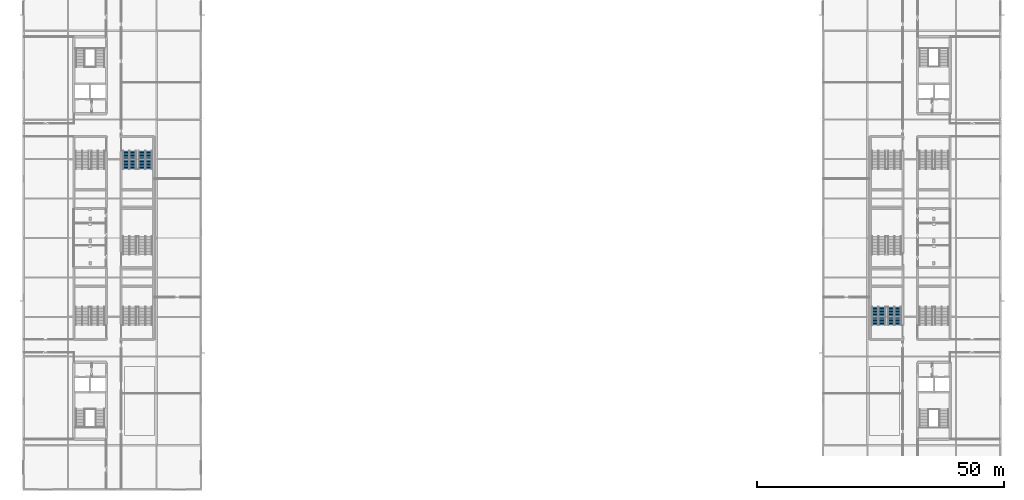
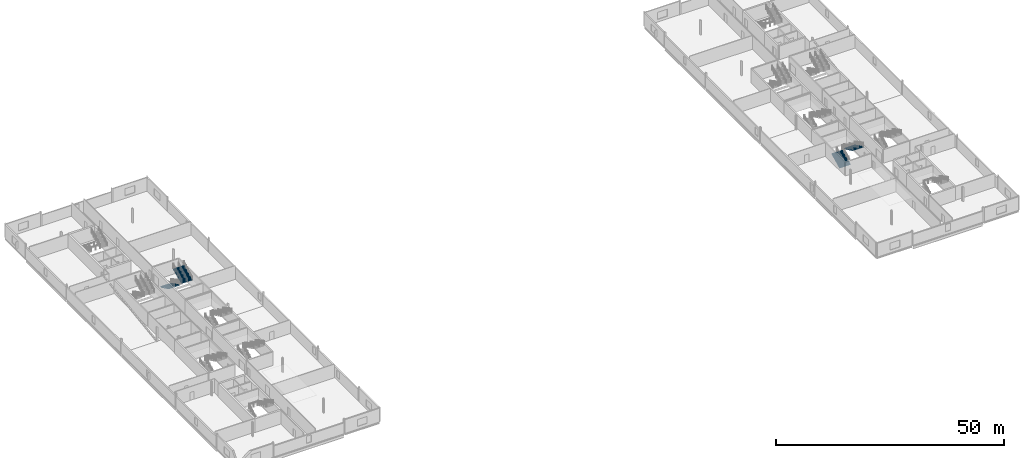
# One storey, part 20 of 27: 4 stair flights, 2 elements without a shape of their own.
"""IFC4 building model written with IfcOpenShell, lengths in metres."""

from ifc_helpers import new_model, si_unit, direction, frame, origin, place, context, subcontext, project, spatial, polygons, material, type_object, element, aggregate, save


model = new_model("IFC4")

# Units and contexts
model_context = context("Model", 3, precision=1e-05, world=origin(), true_north=direction((0.0, 1.0)))
body_context = subcontext(model_context, "Body", "Model", "MODEL_VIEW")
ifc_project = project(units=[si_unit("LENGTHUNIT", "METRE"), si_unit("AREAUNIT", "SQUARE_METRE"), si_unit("VOLUMEUNIT", "CUBIC_METRE"), si_unit("PLANEANGLEUNIT", "RADIAN"), si_unit("MASSUNIT", "GRAM", prefix="KILO")], contexts=[model_context])

# Site, building, storey
site_placement = place(None, origin())
site = spatial("IfcSite", under=ifc_project, at=site_placement, CompositionType="ELEMENT")
building_placement = place(site_placement, origin())
building = spatial("IfcBuilding", under=site, at=building_placement, Name="Kisiwana Market Hall", CompositionType="ELEMENT")
storey_placement = place(building_placement, frame((0.0, 0.0, 41.699951171875)))
storey = spatial("IfcBuildingStorey", under=building, at=storey_placement, Name="L09", CompositionType="ELEMENT", Elevation=41.699951171875)

# Stair, stair flights
ifc_material_1 = material(Name="Concrete C32/40", Category="concrete")
stair_type = type_object("IfcStairType", Name="ST-ESC-3900", PredefinedType="TWO_STRAIGHT_RUN_STAIR", material=ifc_material_1)
stair_1_placement = place(storey_placement, origin())
stair_1 = element("IfcStair", 1, at=stair_1_placement, inside=storey, type_object=stair_type, Name="Escape stair ST-E7-L09", PredefinedType="TWO_STRAIGHT_RUN_STAIR")
ifc_material_2 = material(Name="Concrete C32/40", Category="concrete")
stair_flight_type = type_object("IfcStairFlightType", Name="SF-ESC-3900", PredefinedType="STRAIGHT", material=ifc_material_2)
stair_flight_1_placement = place(storey_placement, frame((173.2900390625, 42.360107421875, 0.0), z_axis=(0.0, 0.0, 1.0), x_axis=(0.0, 1.0, 0.0)))
stair_flight_1 = element("IfcStairFlight", 2, at=stair_flight_1_placement, type_object=stair_flight_type, Name="ST-E7-L09 flight 1", NumberOfRisers=13, NumberOfTreads=12, PredefinedType="STRAIGHT", RiserHeight=0.15, TreadLength=0.305, context=body_context, shape_type="Tessellation", body=[
    polygons([(0.0, -1.380127, 0.0), (0.0, -0.690125, 0.0), (0.0, -0.000122, 0.0), (0.0, 0.68988, 0.0), (0.0, 1.379883, 0.0), (0.0, -1.380127, 0.149902), (0.0, -0.690125, 0.149902), (0.0, -0.000122, 0.149902), (0.0, 0.68988, 0.149902), (0.0, 1.379883, 0.149902), (0.304932, -1.380127, 0.149902), (0.304932, -0.690125, 0.149902), (0.304932, -0.000122, 0.149902), (0.304932, 0.68988, 0.149902), (0.304932, 1.379883, 0.149902), (0.304932, -1.380127, 0.300049), (0.304932, -0.690125, 0.300049), (0.304932, -0.000122, 0.300049), (0.304932, 0.68988, 0.300049), (0.304932, 1.379883, 0.300049), (0.610107, -1.380127, 0.300049), (0.610107, -0.690125, 0.300049), (0.610107, -0.000122, 0.300049), (0.610107, 0.68988, 0.300049), (0.610107, 1.379883, 0.300049), (0.610107, -1.380127, 0.449951), (0.610107, -0.690125, 0.449951), (0.610107, -0.000122, 0.449951), (0.610107, 0.68988, 0.449951), (0.610107, 1.379883, 0.449951), (0.915039, -1.380127, 0.449951), (0.915039, -0.690125, 0.449951), (0.915039, -0.000122, 0.449951), (0.915039, 0.68988, 0.449951), (0.915039, 1.379883, 0.449951), (0.915039, -1.380127, 0.600098), (0.915039, -0.690125, 0.600098), (0.915039, -0.000122, 0.600098), (0.915039, 0.68988, 0.600098), (0.915039, 1.379883, 0.600098), (1.219971, -1.380127, 0.600098), (1.219971, -0.690125, 0.600098), (1.219971, -0.000122, 0.600098), (1.219971, 0.68988, 0.600098), (1.219971, 1.379883, 0.600098), (1.219971, -1.380127, 0.75), (1.219971, -0.690125, 0.75), (1.219971, -0.000122, 0.75), (1.219971, 0.68988, 0.75), (1.219971, 1.379883, 0.75), (1.524902, -1.380127, 0.75), (1.524902, -0.690125, 0.75), (1.524902, -0.000122, 0.75), (1.524902, 0.68988, 0.75), (1.524902, 1.379883, 0.75), (1.524902, -1.380127, 0.899902), (1.524902, -0.690125, 0.899902), (1.524902, -0.000122, 0.899902), (1.524902, 0.68988, 0.899902), (1.524902, 1.379883, 0.899902), (1.830078, -1.380127, 0.899902), (1.830078, -0.690125, 0.899902), (1.830078, -0.000122, 0.899902), (1.830078, 0.68988, 0.899902), (1.830078, 1.379883, 0.899902), (1.830078, -1.380127, 1.050049), (1.830078, -0.690125, 1.050049), (1.830078, -0.000122, 1.050049), (1.830078, 0.68988, 1.050049), (1.830078, 1.379883, 1.050049), (2.13501, -1.380127, 1.050049), (2.13501, -0.690125, 1.050049), (2.13501, -0.000122, 1.050049), (2.13501, 0.68988, 1.050049), (2.13501, 1.379883, 1.050049), (2.13501, -1.380127, 1.199951), (2.13501, -0.690125, 1.199951), (2.13501, -0.000122, 1.199951), (2.13501, 0.68988, 1.199951), (2.13501, 1.379883, 1.199951), (2.439941, -1.380127, 1.199951), (2.439941, -0.690125, 1.199951), (2.439941, -0.000122, 1.199951), (2.439941, 0.68988, 1.199951), (2.439941, 1.379883, 1.199951), (2.439941, -1.380127, 1.350098), (2.439941, -0.690125, 1.350098), (2.439941, -0.000122, 1.350098), (2.439941, 0.68988, 1.350098), (2.439941, 1.379883, 1.350098), (2.745117, -1.380127, 1.350098), (2.745117, -0.690125, 1.350098), (2.745117, -0.000122, 1.350098), (2.745117, 0.68988, 1.350098), (2.745117, 1.379883, 1.350098), (2.745117, -1.380127, 1.5), (2.745117, -0.690125, 1.5), (2.745117, -0.000122, 1.5), (2.745117, 0.68988, 1.5), (2.745117, 1.379883, 1.5), (3.050049, -1.380127, 1.5), (3.050049, -0.690125, 1.5), (3.050049, -0.000122, 1.5), (3.050049, 0.68988, 1.5), (3.050049, 1.379883, 1.5), (3.050049, -1.380127, 1.649902), (3.050049, -0.690125, 1.649902), (3.050049, -0.000122, 1.649902), (3.050049, 0.68988, 1.649902), (3.050049, 1.379883, 1.649902), (3.35498, -1.380127, 1.649902), (3.35498, -0.690125, 1.649902), (3.35498, -0.000122, 1.649902), (3.35498, 0.68988, 1.649902), (3.35498, 1.379883, 1.649902), (3.35498, -1.380127, 1.800049), (3.35498, -0.690125, 1.800049), (3.35498, -0.000122, 1.800049), (3.35498, 0.68988, 1.800049), (3.35498, 1.379883, 1.800049), (3.659912, -1.380127, 1.800049), (3.659912, -0.690125, 1.800049), (3.659912, -0.000122, 1.800049), (3.659912, 0.68988, 1.800049), (3.659912, 1.379883, 1.800049), (3.659912, -1.380127, 1.599365), (3.659912, -0.690125, 1.599365), (3.659912, -0.000122, 1.599365), (3.659912, 0.68988, 1.599365), (3.659912, 1.379883, 1.599365), (0.407715, -1.380127, 0.0), (0.407715, -0.690125, 0.0), (0.407715, -0.000122, 0.0), (0.407715, 0.68988, 0.0), (0.407715, 1.379883, 0.0)], [[[1, 6, 7, 2]], [[2, 7, 8, 3]], [[3, 8, 9, 4]], [[4, 9, 10, 5]], [[6, 11, 12, 7]], [[7, 12, 13, 8]], [[8, 13, 14, 9]], [[9, 14, 15, 10]], [[11, 16, 17, 12]], [[12, 17, 18, 13]], [[13, 18, 19, 14]], [[14, 19, 20, 15]], [[16, 21, 22, 17]], [[17, 22, 23, 18]], [[18, 23, 24, 19]], [[19, 24, 25, 20]], [[21, 26, 27, 22]], [[22, 27, 28, 23]], [[23, 28, 29, 24]], [[24, 29, 30, 25]], [[26, 31, 32, 27]], [[27, 32, 33, 28]], [[28, 33, 34, 29]], [[29, 34, 35, 30]], [[31, 36, 37, 32]], [[32, 37, 38, 33]], [[33, 38, 39, 34]], [[34, 39, 40, 35]], [[36, 41, 42, 37]], [[37, 42, 43, 38]], [[38, 43, 44, 39]], [[39, 44, 45, 40]], [[41, 46, 47, 42]], [[42, 47, 48, 43]], [[43, 48, 49, 44]], [[44, 49, 50, 45]], [[46, 51, 52, 47]], [[47, 52, 53, 48]], [[48, 53, 54, 49]], [[49, 54, 55, 50]], [[51, 56, 57, 52]], [[52, 57, 58, 53]], [[53, 58, 59, 54]], [[54, 59, 60, 55]], [[56, 61, 62, 57]], [[57, 62, 63, 58]], [[58, 63, 64, 59]], [[59, 64, 65, 60]], [[61, 66, 67, 62]], [[62, 67, 68, 63]], [[63, 68, 69, 64]], [[64, 69, 70, 65]], [[66, 71, 72, 67]], [[67, 72, 73, 68]], [[68, 73, 74, 69]], [[69, 74, 75, 70]], [[71, 76, 77, 72]], [[72, 77, 78, 73]], [[73, 78, 79, 74]], [[74, 79, 80, 75]], [[76, 81, 82, 77]], [[77, 82, 83, 78]], [[78, 83, 84, 79]], [[79, 84, 85, 80]], [[81, 86, 87, 82]], [[82, 87, 88, 83]], [[83, 88, 89, 84]], [[84, 89, 90, 85]], [[86, 91, 92, 87]], [[87, 92, 93, 88]], [[88, 93, 94, 89]], [[89, 94, 95, 90]], [[91, 96, 97, 92]], [[92, 97, 98, 93]], [[93, 98, 99, 94]], [[94, 99, 100, 95]], [[96, 101, 102, 97]], [[97, 102, 103, 98]], [[98, 103, 104, 99]], [[99, 104, 105, 100]], [[101, 106, 107, 102]], [[102, 107, 108, 103]], [[103, 108, 109, 104]], [[104, 109, 110, 105]], [[106, 111, 112, 107]], [[107, 112, 113, 108]], [[108, 113, 114, 109]], [[109, 114, 115, 110]], [[111, 116, 117, 112]], [[112, 117, 118, 113]], [[113, 118, 119, 114]], [[114, 119, 120, 115]], [[116, 121, 122, 117]], [[117, 122, 123, 118]], [[118, 123, 124, 119]], [[119, 124, 125, 120]], [[121, 126, 127, 122]], [[122, 127, 128, 123]], [[123, 128, 129, 124]], [[124, 129, 130, 125]], [[126, 131, 132, 127]], [[127, 132, 133, 128]], [[128, 133, 134, 129]], [[129, 134, 135, 130]], [[131, 1, 2, 132]], [[132, 2, 3, 133]], [[133, 3, 4, 134]], [[134, 4, 5, 135]], [[131, 126, 121, 116, 111, 106, 101, 96, 91, 86, 81, 76, 71, 66, 61, 56, 51, 46, 41, 36, 31, 26, 21, 16, 11, 6, 1]], [[5, 10, 15, 20, 25, 30, 35, 40, 45, 50, 55, 60, 65, 70, 75, 80, 85, 90, 95, 100, 105, 110, 115, 120, 125, 130, 135]]], closed=True),
])
stair_flight_2_placement = place(storey_placement, frame((176.510009765625, 46.02001953125, 1.949951171875), z_axis=(0.0, 0.0, 1.0), x_axis=(0.0, -1.0, 0.0)))
stair_flight_2 = element("IfcStairFlight", 3, at=stair_flight_2_placement, type_object=stair_flight_type, Name="ST-E7-L09 flight 2", NumberOfRisers=13, NumberOfTreads=12, PredefinedType="STRAIGHT", RiserHeight=0.15, TreadLength=0.305, context=body_context, shape_type="Tessellation", body=[
    polygons([(0.0, -1.380127, 0.0), (0.0, -0.690125, 0.0), (0.0, -0.000122, 0.0), (0.0, 0.68988, 0.0), (0.0, 1.379883, 0.0), (0.0, -1.380127, 0.149902), (0.0, -0.690125, 0.149902), (0.0, -0.000122, 0.149902), (0.0, 0.68988, 0.149902), (0.0, 1.379883, 0.149902), (0.304932, -1.380127, 0.149902), (0.304932, -0.690125, 0.149902), (0.304932, -0.000122, 0.149902), (0.304932, 0.68988, 0.149902), (0.304932, 1.379883, 0.149902), (0.304932, -1.380127, 0.300049), (0.304932, -0.690125, 0.300049), (0.304932, -0.000122, 0.300049), (0.304932, 0.68988, 0.300049), (0.304932, 1.379883, 0.300049), (0.610107, -1.380127, 0.300049), (0.610107, -0.690125, 0.300049), (0.610107, -0.000122, 0.300049), (0.610107, 0.68988, 0.300049), (0.610107, 1.379883, 0.300049), (0.610107, -1.380127, 0.449951), (0.610107, -0.690125, 0.449951), (0.610107, -0.000122, 0.449951), (0.610107, 0.68988, 0.449951), (0.610107, 1.379883, 0.449951), (0.915039, -1.380127, 0.449951), (0.915039, -0.690125, 0.449951), (0.915039, -0.000122, 0.449951), (0.915039, 0.68988, 0.449951), (0.915039, 1.379883, 0.449951), (0.915039, -1.380127, 0.600098), (0.915039, -0.690125, 0.600098), (0.915039, -0.000122, 0.600098), (0.915039, 0.68988, 0.600098), (0.915039, 1.379883, 0.600098), (1.219971, -1.380127, 0.600098), (1.219971, -0.690125, 0.600098), (1.219971, -0.000122, 0.600098), (1.219971, 0.68988, 0.600098), (1.219971, 1.379883, 0.600098), (1.219971, -1.380127, 0.75), (1.219971, -0.690125, 0.75), (1.219971, -0.000122, 0.75), (1.219971, 0.68988, 0.75), (1.219971, 1.379883, 0.75), (1.524902, -1.380127, 0.75), (1.524902, -0.690125, 0.75), (1.524902, -0.000122, 0.75), (1.524902, 0.68988, 0.75), (1.524902, 1.379883, 0.75), (1.524902, -1.380127, 0.899902), (1.524902, -0.690125, 0.899902), (1.524902, -0.000122, 0.899902), (1.524902, 0.68988, 0.899902), (1.524902, 1.379883, 0.899902), (1.830078, -1.380127, 0.899902), (1.830078, -0.690125, 0.899902), (1.830078, -0.000122, 0.899902), (1.830078, 0.68988, 0.899902), (1.830078, 1.379883, 0.899902), (1.830078, -1.380127, 1.050049), (1.830078, -0.690125, 1.050049), (1.830078, -0.000122, 1.050049), (1.830078, 0.68988, 1.050049), (1.830078, 1.379883, 1.050049), (2.13501, -1.380127, 1.050049), (2.13501, -0.690125, 1.050049), (2.13501, -0.000122, 1.050049), (2.13501, 0.68988, 1.050049), (2.13501, 1.379883, 1.050049), (2.13501, -1.380127, 1.199951), (2.13501, -0.690125, 1.199951), (2.13501, -0.000122, 1.199951), (2.13501, 0.68988, 1.199951), (2.13501, 1.379883, 1.199951), (2.439941, -1.380127, 1.199951), (2.439941, -0.690125, 1.199951), (2.439941, -0.000122, 1.199951), (2.439941, 0.68988, 1.199951), (2.439941, 1.379883, 1.199951), (2.439941, -1.380127, 1.350098), (2.439941, -0.690125, 1.350098), (2.439941, -0.000122, 1.350098), (2.439941, 0.68988, 1.350098), (2.439941, 1.379883, 1.350098), (2.745117, -1.380127, 1.350098), (2.745117, -0.690125, 1.350098), (2.745117, -0.000122, 1.350098), (2.745117, 0.68988, 1.350098), (2.745117, 1.379883, 1.350098), (2.745117, -1.380127, 1.5), (2.745117, -0.690125, 1.5), (2.745117, -0.000122, 1.5), (2.745117, 0.68988, 1.5), (2.745117, 1.379883, 1.5), (3.050049, -1.380127, 1.5), (3.050049, -0.690125, 1.5), (3.050049, -0.000122, 1.5), (3.050049, 0.68988, 1.5), (3.050049, 1.379883, 1.5), (3.050049, -1.380127, 1.649902), (3.050049, -0.690125, 1.649902), (3.050049, -0.000122, 1.649902), (3.050049, 0.68988, 1.649902), (3.050049, 1.379883, 1.649902), (3.35498, -1.380127, 1.649902), (3.35498, -0.690125, 1.649902), (3.35498, -0.000122, 1.649902), (3.35498, 0.68988, 1.649902), (3.35498, 1.379883, 1.649902), (3.35498, -1.380127, 1.800049), (3.35498, -0.690125, 1.800049), (3.35498, -0.000122, 1.800049), (3.35498, 0.68988, 1.800049), (3.35498, 1.379883, 1.800049), (3.659912, -1.380127, 1.800049), (3.659912, -0.690125, 1.800049), (3.659912, -0.000122, 1.800049), (3.659912, 0.68988, 1.800049), (3.659912, 1.379883, 1.800049), (3.659912, -1.380127, 1.599365), (3.659912, -0.690125, 1.599365), (3.659912, -0.000122, 1.599365), (3.659912, 0.68988, 1.599365), (3.659912, 1.379883, 1.599365), (0.407715, -1.380127, 0.0), (0.407715, -0.690125, 0.0), (0.407715, -0.000122, 0.0), (0.407715, 0.68988, 0.0), (0.407715, 1.379883, 0.0)], [[[1, 6, 7, 2]], [[2, 7, 8, 3]], [[3, 8, 9, 4]], [[4, 9, 10, 5]], [[6, 11, 12, 7]], [[7, 12, 13, 8]], [[8, 13, 14, 9]], [[9, 14, 15, 10]], [[11, 16, 17, 12]], [[12, 17, 18, 13]], [[13, 18, 19, 14]], [[14, 19, 20, 15]], [[16, 21, 22, 17]], [[17, 22, 23, 18]], [[18, 23, 24, 19]], [[19, 24, 25, 20]], [[21, 26, 27, 22]], [[22, 27, 28, 23]], [[23, 28, 29, 24]], [[24, 29, 30, 25]], [[26, 31, 32, 27]], [[27, 32, 33, 28]], [[28, 33, 34, 29]], [[29, 34, 35, 30]], [[31, 36, 37, 32]], [[32, 37, 38, 33]], [[33, 38, 39, 34]], [[34, 39, 40, 35]], [[36, 41, 42, 37]], [[37, 42, 43, 38]], [[38, 43, 44, 39]], [[39, 44, 45, 40]], [[41, 46, 47, 42]], [[42, 47, 48, 43]], [[43, 48, 49, 44]], [[44, 49, 50, 45]], [[46, 51, 52, 47]], [[47, 52, 53, 48]], [[48, 53, 54, 49]], [[49, 54, 55, 50]], [[51, 56, 57, 52]], [[52, 57, 58, 53]], [[53, 58, 59, 54]], [[54, 59, 60, 55]], [[56, 61, 62, 57]], [[57, 62, 63, 58]], [[58, 63, 64, 59]], [[59, 64, 65, 60]], [[61, 66, 67, 62]], [[62, 67, 68, 63]], [[63, 68, 69, 64]], [[64, 69, 70, 65]], [[66, 71, 72, 67]], [[67, 72, 73, 68]], [[68, 73, 74, 69]], [[69, 74, 75, 70]], [[71, 76, 77, 72]], [[72, 77, 78, 73]], [[73, 78, 79, 74]], [[74, 79, 80, 75]], [[76, 81, 82, 77]], [[77, 82, 83, 78]], [[78, 83, 84, 79]], [[79, 84, 85, 80]], [[81, 86, 87, 82]], [[82, 87, 88, 83]], [[83, 88, 89, 84]], [[84, 89, 90, 85]], [[86, 91, 92, 87]], [[87, 92, 93, 88]], [[88, 93, 94, 89]], [[89, 94, 95, 90]], [[91, 96, 97, 92]], [[92, 97, 98, 93]], [[93, 98, 99, 94]], [[94, 99, 100, 95]], [[96, 101, 102, 97]], [[97, 102, 103, 98]], [[98, 103, 104, 99]], [[99, 104, 105, 100]], [[101, 106, 107, 102]], [[102, 107, 108, 103]], [[103, 108, 109, 104]], [[104, 109, 110, 105]], [[106, 111, 112, 107]], [[107, 112, 113, 108]], [[108, 113, 114, 109]], [[109, 114, 115, 110]], [[111, 116, 117, 112]], [[112, 117, 118, 113]], [[113, 118, 119, 114]], [[114, 119, 120, 115]], [[116, 121, 122, 117]], [[117, 122, 123, 118]], [[118, 123, 124, 119]], [[119, 124, 125, 120]], [[121, 126, 127, 122]], [[122, 127, 128, 123]], [[123, 128, 129, 124]], [[124, 129, 130, 125]], [[126, 131, 132, 127]], [[127, 132, 133, 128]], [[128, 133, 134, 129]], [[129, 134, 135, 130]], [[131, 1, 2, 132]], [[132, 2, 3, 133]], [[133, 3, 4, 134]], [[134, 4, 5, 135]], [[131, 126, 121, 116, 111, 106, 101, 96, 91, 86, 81, 76, 71, 66, 61, 56, 51, 46, 41, 36, 31, 26, 21, 16, 11, 6, 1]], [[5, 10, 15, 20, 25, 30, 35, 40, 45, 50, 55, 60, 65, 70, 75, 80, 85, 90, 95, 100, 105, 110, 115, 120, 125, 130, 135]]], closed=True),
])
aggregate(stair_1, [stair_flight_1, stair_flight_2])

stair_2_placement = place(storey_placement, origin())
stair_2 = element("IfcStair", 4, at=stair_2_placement, inside=storey, type_object=stair_type, Name="Escape stair ST-W8-L09", PredefinedType="TWO_STRAIGHT_RUN_STAIR")
stair_flight_3_placement = place(storey_placement, frame((21.489990234375, 77.639892578125, 0.0), z_axis=(0.0, 0.0, 1.0), x_axis=(0.0, -1.0, 0.0)))
stair_flight_3 = element("IfcStairFlight", 5, at=stair_flight_3_placement, type_object=stair_flight_type, Name="ST-W8-L09 flight 1", NumberOfRisers=13, NumberOfTreads=12, PredefinedType="STRAIGHT", RiserHeight=0.15, TreadLength=0.305, context=body_context, shape_type="Tessellation", body=[
    polygons([(0.0, -1.380127, 0.0), (0.0, -0.690125, 0.0), (0.0, -0.000122, 0.0), (0.0, 0.68988, 0.0), (0.0, 1.379883, 0.0), (0.0, -1.380127, 0.149902), (0.0, -0.690125, 0.149902), (0.0, -0.000122, 0.149902), (0.0, 0.68988, 0.149902), (0.0, 1.379883, 0.149902), (0.304932, -1.380127, 0.149902), (0.304932, -0.690125, 0.149902), (0.304932, -0.000122, 0.149902), (0.304932, 0.68988, 0.149902), (0.304932, 1.379883, 0.149902), (0.304932, -1.380127, 0.300049), (0.304932, -0.690125, 0.300049), (0.304932, -0.000122, 0.300049), (0.304932, 0.68988, 0.300049), (0.304932, 1.379883, 0.300049), (0.610107, -1.380127, 0.300049), (0.610107, -0.690125, 0.300049), (0.610107, -0.000122, 0.300049), (0.610107, 0.68988, 0.300049), (0.610107, 1.379883, 0.300049), (0.610107, -1.380127, 0.449951), (0.610107, -0.690125, 0.449951), (0.610107, -0.000122, 0.449951), (0.610107, 0.68988, 0.449951), (0.610107, 1.379883, 0.449951), (0.915039, -1.380127, 0.449951), (0.915039, -0.690125, 0.449951), (0.915039, -0.000122, 0.449951), (0.915039, 0.68988, 0.449951), (0.915039, 1.379883, 0.449951), (0.915039, -1.380127, 0.600098), (0.915039, -0.690125, 0.600098), (0.915039, -0.000122, 0.600098), (0.915039, 0.68988, 0.600098), (0.915039, 1.379883, 0.600098), (1.219971, -1.380127, 0.600098), (1.219971, -0.690125, 0.600098), (1.219971, -0.000122, 0.600098), (1.219971, 0.68988, 0.600098), (1.219971, 1.379883, 0.600098), (1.219971, -1.380127, 0.75), (1.219971, -0.690125, 0.75), (1.219971, -0.000122, 0.75), (1.219971, 0.68988, 0.75), (1.219971, 1.379883, 0.75), (1.524902, -1.380127, 0.75), (1.524902, -0.690125, 0.75), (1.524902, -0.000122, 0.75), (1.524902, 0.68988, 0.75), (1.524902, 1.379883, 0.75), (1.524902, -1.380127, 0.899902), (1.524902, -0.690125, 0.899902), (1.524902, -0.000122, 0.899902), (1.524902, 0.68988, 0.899902), (1.524902, 1.379883, 0.899902), (1.830078, -1.380127, 0.899902), (1.830078, -0.690125, 0.899902), (1.830078, -0.000122, 0.899902), (1.830078, 0.68988, 0.899902), (1.830078, 1.379883, 0.899902), (1.830078, -1.380127, 1.050049), (1.830078, -0.690125, 1.050049), (1.830078, -0.000122, 1.050049), (1.830078, 0.68988, 1.050049), (1.830078, 1.379883, 1.050049), (2.13501, -1.380127, 1.050049), (2.13501, -0.690125, 1.050049), (2.13501, -0.000122, 1.050049), (2.13501, 0.68988, 1.050049), (2.13501, 1.379883, 1.050049), (2.13501, -1.380127, 1.199951), (2.13501, -0.690125, 1.199951), (2.13501, -0.000122, 1.199951), (2.13501, 0.68988, 1.199951), (2.13501, 1.379883, 1.199951), (2.439941, -1.380127, 1.199951), (2.439941, -0.690125, 1.199951), (2.439941, -0.000122, 1.199951), (2.439941, 0.68988, 1.199951), (2.439941, 1.379883, 1.199951), (2.439941, -1.380127, 1.350098), (2.439941, -0.690125, 1.350098), (2.439941, -0.000122, 1.350098), (2.439941, 0.68988, 1.350098), (2.439941, 1.379883, 1.350098), (2.745117, -1.380127, 1.350098), (2.745117, -0.690125, 1.350098), (2.745117, -0.000122, 1.350098), (2.745117, 0.68988, 1.350098), (2.745117, 1.379883, 1.350098), (2.745117, -1.380127, 1.5), (2.745117, -0.690125, 1.5), (2.745117, -0.000122, 1.5), (2.745117, 0.68988, 1.5), (2.745117, 1.379883, 1.5), (3.050049, -1.380127, 1.5), (3.050049, -0.690125, 1.5), (3.050049, -0.000122, 1.5), (3.050049, 0.68988, 1.5), (3.050049, 1.379883, 1.5), (3.050049, -1.380127, 1.649902), (3.050049, -0.690125, 1.649902), (3.050049, -0.000122, 1.649902), (3.050049, 0.68988, 1.649902), (3.050049, 1.379883, 1.649902), (3.35498, -1.380127, 1.649902), (3.35498, -0.690125, 1.649902), (3.35498, -0.000122, 1.649902), (3.35498, 0.68988, 1.649902), (3.35498, 1.379883, 1.649902), (3.35498, -1.380127, 1.800049), (3.35498, -0.690125, 1.800049), (3.35498, -0.000122, 1.800049), (3.35498, 0.68988, 1.800049), (3.35498, 1.379883, 1.800049), (3.659912, -1.380127, 1.800049), (3.659912, -0.690125, 1.800049), (3.659912, -0.000122, 1.800049), (3.659912, 0.68988, 1.800049), (3.659912, 1.379883, 1.800049), (3.659912, -1.380127, 1.599365), (3.659912, -0.690125, 1.599365), (3.659912, -0.000122, 1.599365), (3.659912, 0.68988, 1.599365), (3.659912, 1.379883, 1.599365), (0.407715, -1.380127, 0.0), (0.407715, -0.690125, 0.0), (0.407715, -0.000122, 0.0), (0.407715, 0.68988, 0.0), (0.407715, 1.379883, 0.0)], [[[1, 6, 7, 2]], [[2, 7, 8, 3]], [[3, 8, 9, 4]], [[4, 9, 10, 5]], [[6, 11, 12, 7]], [[7, 12, 13, 8]], [[8, 13, 14, 9]], [[9, 14, 15, 10]], [[11, 16, 17, 12]], [[12, 17, 18, 13]], [[13, 18, 19, 14]], [[14, 19, 20, 15]], [[16, 21, 22, 17]], [[17, 22, 23, 18]], [[18, 23, 24, 19]], [[19, 24, 25, 20]], [[21, 26, 27, 22]], [[22, 27, 28, 23]], [[23, 28, 29, 24]], [[24, 29, 30, 25]], [[26, 31, 32, 27]], [[27, 32, 33, 28]], [[28, 33, 34, 29]], [[29, 34, 35, 30]], [[31, 36, 37, 32]], [[32, 37, 38, 33]], [[33, 38, 39, 34]], [[34, 39, 40, 35]], [[36, 41, 42, 37]], [[37, 42, 43, 38]], [[38, 43, 44, 39]], [[39, 44, 45, 40]], [[41, 46, 47, 42]], [[42, 47, 48, 43]], [[43, 48, 49, 44]], [[44, 49, 50, 45]], [[46, 51, 52, 47]], [[47, 52, 53, 48]], [[48, 53, 54, 49]], [[49, 54, 55, 50]], [[51, 56, 57, 52]], [[52, 57, 58, 53]], [[53, 58, 59, 54]], [[54, 59, 60, 55]], [[56, 61, 62, 57]], [[57, 62, 63, 58]], [[58, 63, 64, 59]], [[59, 64, 65, 60]], [[61, 66, 67, 62]], [[62, 67, 68, 63]], [[63, 68, 69, 64]], [[64, 69, 70, 65]], [[66, 71, 72, 67]], [[67, 72, 73, 68]], [[68, 73, 74, 69]], [[69, 74, 75, 70]], [[71, 76, 77, 72]], [[72, 77, 78, 73]], [[73, 78, 79, 74]], [[74, 79, 80, 75]], [[76, 81, 82, 77]], [[77, 82, 83, 78]], [[78, 83, 84, 79]], [[79, 84, 85, 80]], [[81, 86, 87, 82]], [[82, 87, 88, 83]], [[83, 88, 89, 84]], [[84, 89, 90, 85]], [[86, 91, 92, 87]], [[87, 92, 93, 88]], [[88, 93, 94, 89]], [[89, 94, 95, 90]], [[91, 96, 97, 92]], [[92, 97, 98, 93]], [[93, 98, 99, 94]], [[94, 99, 100, 95]], [[96, 101, 102, 97]], [[97, 102, 103, 98]], [[98, 103, 104, 99]], [[99, 104, 105, 100]], [[101, 106, 107, 102]], [[102, 107, 108, 103]], [[103, 108, 109, 104]], [[104, 109, 110, 105]], [[106, 111, 112, 107]], [[107, 112, 113, 108]], [[108, 113, 114, 109]], [[109, 114, 115, 110]], [[111, 116, 117, 112]], [[112, 117, 118, 113]], [[113, 118, 119, 114]], [[114, 119, 120, 115]], [[116, 121, 122, 117]], [[117, 122, 123, 118]], [[118, 123, 124, 119]], [[119, 124, 125, 120]], [[121, 126, 127, 122]], [[122, 127, 128, 123]], [[123, 128, 129, 124]], [[124, 129, 130, 125]], [[126, 131, 132, 127]], [[127, 132, 133, 128]], [[128, 133, 134, 129]], [[129, 134, 135, 130]], [[131, 1, 2, 132]], [[132, 2, 3, 133]], [[133, 3, 4, 134]], [[134, 4, 5, 135]], [[131, 126, 121, 116, 111, 106, 101, 96, 91, 86, 81, 76, 71, 66, 61, 56, 51, 46, 41, 36, 31, 26, 21, 16, 11, 6, 1]], [[5, 10, 15, 20, 25, 30, 35, 40, 45, 50, 55, 60, 65, 70, 75, 80, 85, 90, 95, 100, 105, 110, 115, 120, 125, 130, 135]]], closed=True),
])
stair_flight_4_placement = place(storey_placement, frame((24.7099609375, 73.97998046875, 1.949951171875), z_axis=(0.0, 0.0, 1.0), x_axis=(0.0, 1.0, 0.0)))
stair_flight_4 = element("IfcStairFlight", 6, at=stair_flight_4_placement, type_object=stair_flight_type, Name="ST-W8-L09 flight 2", NumberOfRisers=13, NumberOfTreads=12, PredefinedType="STRAIGHT", RiserHeight=0.15, TreadLength=0.305, context=body_context, shape_type="Tessellation", body=[
    polygons([(0.0, -1.380127, 0.0), (0.0, -0.690125, 0.0), (0.0, -0.000122, 0.0), (0.0, 0.68988, 0.0), (0.0, 1.379883, 0.0), (0.0, -1.380127, 0.149902), (0.0, -0.690125, 0.149902), (0.0, -0.000122, 0.149902), (0.0, 0.68988, 0.149902), (0.0, 1.379883, 0.149902), (0.304932, -1.380127, 0.149902), (0.304932, -0.690125, 0.149902), (0.304932, -0.000122, 0.149902), (0.304932, 0.68988, 0.149902), (0.304932, 1.379883, 0.149902), (0.304932, -1.380127, 0.300049), (0.304932, -0.690125, 0.300049), (0.304932, -0.000122, 0.300049), (0.304932, 0.68988, 0.300049), (0.304932, 1.379883, 0.300049), (0.610107, -1.380127, 0.300049), (0.610107, -0.690125, 0.300049), (0.610107, -0.000122, 0.300049), (0.610107, 0.68988, 0.300049), (0.610107, 1.379883, 0.300049), (0.610107, -1.380127, 0.449951), (0.610107, -0.690125, 0.449951), (0.610107, -0.000122, 0.449951), (0.610107, 0.68988, 0.449951), (0.610107, 1.379883, 0.449951), (0.915039, -1.380127, 0.449951), (0.915039, -0.690125, 0.449951), (0.915039, -0.000122, 0.449951), (0.915039, 0.68988, 0.449951), (0.915039, 1.379883, 0.449951), (0.915039, -1.380127, 0.600098), (0.915039, -0.690125, 0.600098), (0.915039, -0.000122, 0.600098), (0.915039, 0.68988, 0.600098), (0.915039, 1.379883, 0.600098), (1.219971, -1.380127, 0.600098), (1.219971, -0.690125, 0.600098), (1.219971, -0.000122, 0.600098), (1.219971, 0.68988, 0.600098), (1.219971, 1.379883, 0.600098), (1.219971, -1.380127, 0.75), (1.219971, -0.690125, 0.75), (1.219971, -0.000122, 0.75), (1.219971, 0.68988, 0.75), (1.219971, 1.379883, 0.75), (1.524902, -1.380127, 0.75), (1.524902, -0.690125, 0.75), (1.524902, -0.000122, 0.75), (1.524902, 0.68988, 0.75), (1.524902, 1.379883, 0.75), (1.524902, -1.380127, 0.899902), (1.524902, -0.690125, 0.899902), (1.524902, -0.000122, 0.899902), (1.524902, 0.68988, 0.899902), (1.524902, 1.379883, 0.899902), (1.830078, -1.380127, 0.899902), (1.830078, -0.690125, 0.899902), (1.830078, -0.000122, 0.899902), (1.830078, 0.68988, 0.899902), (1.830078, 1.379883, 0.899902), (1.830078, -1.380127, 1.050049), (1.830078, -0.690125, 1.050049), (1.830078, -0.000122, 1.050049), (1.830078, 0.68988, 1.050049), (1.830078, 1.379883, 1.050049), (2.13501, -1.380127, 1.050049), (2.13501, -0.690125, 1.050049), (2.13501, -0.000122, 1.050049), (2.13501, 0.68988, 1.050049), (2.13501, 1.379883, 1.050049), (2.13501, -1.380127, 1.199951), (2.13501, -0.690125, 1.199951), (2.13501, -0.000122, 1.199951), (2.13501, 0.68988, 1.199951), (2.13501, 1.379883, 1.199951), (2.439941, -1.380127, 1.199951), (2.439941, -0.690125, 1.199951), (2.439941, -0.000122, 1.199951), (2.439941, 0.68988, 1.199951), (2.439941, 1.379883, 1.199951), (2.439941, -1.380127, 1.350098), (2.439941, -0.690125, 1.350098), (2.439941, -0.000122, 1.350098), (2.439941, 0.68988, 1.350098), (2.439941, 1.379883, 1.350098), (2.745117, -1.380127, 1.350098), (2.745117, -0.690125, 1.350098), (2.745117, -0.000122, 1.350098), (2.745117, 0.68988, 1.350098), (2.745117, 1.379883, 1.350098), (2.745117, -1.380127, 1.5), (2.745117, -0.690125, 1.5), (2.745117, -0.000122, 1.5), (2.745117, 0.68988, 1.5), (2.745117, 1.379883, 1.5), (3.050049, -1.380127, 1.5), (3.050049, -0.690125, 1.5), (3.050049, -0.000122, 1.5), (3.050049, 0.68988, 1.5), (3.050049, 1.379883, 1.5), (3.050049, -1.380127, 1.649902), (3.050049, -0.690125, 1.649902), (3.050049, -0.000122, 1.649902), (3.050049, 0.68988, 1.649902), (3.050049, 1.379883, 1.649902), (3.35498, -1.380127, 1.649902), (3.35498, -0.690125, 1.649902), (3.35498, -0.000122, 1.649902), (3.35498, 0.68988, 1.649902), (3.35498, 1.379883, 1.649902), (3.35498, -1.380127, 1.800049), (3.35498, -0.690125, 1.800049), (3.35498, -0.000122, 1.800049), (3.35498, 0.68988, 1.800049), (3.35498, 1.379883, 1.800049), (3.659912, -1.380127, 1.800049), (3.659912, -0.690125, 1.800049), (3.659912, -0.000122, 1.800049), (3.659912, 0.68988, 1.800049), (3.659912, 1.379883, 1.800049), (3.659912, -1.380127, 1.599365), (3.659912, -0.690125, 1.599365), (3.659912, -0.000122, 1.599365), (3.659912, 0.68988, 1.599365), (3.659912, 1.379883, 1.599365), (0.407715, -1.380127, 0.0), (0.407715, -0.690125, 0.0), (0.407715, -0.000122, 0.0), (0.407715, 0.68988, 0.0), (0.407715, 1.379883, 0.0)], [[[1, 6, 7, 2]], [[2, 7, 8, 3]], [[3, 8, 9, 4]], [[4, 9, 10, 5]], [[6, 11, 12, 7]], [[7, 12, 13, 8]], [[8, 13, 14, 9]], [[9, 14, 15, 10]], [[11, 16, 17, 12]], [[12, 17, 18, 13]], [[13, 18, 19, 14]], [[14, 19, 20, 15]], [[16, 21, 22, 17]], [[17, 22, 23, 18]], [[18, 23, 24, 19]], [[19, 24, 25, 20]], [[21, 26, 27, 22]], [[22, 27, 28, 23]], [[23, 28, 29, 24]], [[24, 29, 30, 25]], [[26, 31, 32, 27]], [[27, 32, 33, 28]], [[28, 33, 34, 29]], [[29, 34, 35, 30]], [[31, 36, 37, 32]], [[32, 37, 38, 33]], [[33, 38, 39, 34]], [[34, 39, 40, 35]], [[36, 41, 42, 37]], [[37, 42, 43, 38]], [[38, 43, 44, 39]], [[39, 44, 45, 40]], [[41, 46, 47, 42]], [[42, 47, 48, 43]], [[43, 48, 49, 44]], [[44, 49, 50, 45]], [[46, 51, 52, 47]], [[47, 52, 53, 48]], [[48, 53, 54, 49]], [[49, 54, 55, 50]], [[51, 56, 57, 52]], [[52, 57, 58, 53]], [[53, 58, 59, 54]], [[54, 59, 60, 55]], [[56, 61, 62, 57]], [[57, 62, 63, 58]], [[58, 63, 64, 59]], [[59, 64, 65, 60]], [[61, 66, 67, 62]], [[62, 67, 68, 63]], [[63, 68, 69, 64]], [[64, 69, 70, 65]], [[66, 71, 72, 67]], [[67, 72, 73, 68]], [[68, 73, 74, 69]], [[69, 74, 75, 70]], [[71, 76, 77, 72]], [[72, 77, 78, 73]], [[73, 78, 79, 74]], [[74, 79, 80, 75]], [[76, 81, 82, 77]], [[77, 82, 83, 78]], [[78, 83, 84, 79]], [[79, 84, 85, 80]], [[81, 86, 87, 82]], [[82, 87, 88, 83]], [[83, 88, 89, 84]], [[84, 89, 90, 85]], [[86, 91, 92, 87]], [[87, 92, 93, 88]], [[88, 93, 94, 89]], [[89, 94, 95, 90]], [[91, 96, 97, 92]], [[92, 97, 98, 93]], [[93, 98, 99, 94]], [[94, 99, 100, 95]], [[96, 101, 102, 97]], [[97, 102, 103, 98]], [[98, 103, 104, 99]], [[99, 104, 105, 100]], [[101, 106, 107, 102]], [[102, 107, 108, 103]], [[103, 108, 109, 104]], [[104, 109, 110, 105]], [[106, 111, 112, 107]], [[107, 112, 113, 108]], [[108, 113, 114, 109]], [[109, 114, 115, 110]], [[111, 116, 117, 112]], [[112, 117, 118, 113]], [[113, 118, 119, 114]], [[114, 119, 120, 115]], [[116, 121, 122, 117]], [[117, 122, 123, 118]], [[118, 123, 124, 119]], [[119, 124, 125, 120]], [[121, 126, 127, 122]], [[122, 127, 128, 123]], [[123, 128, 129, 124]], [[124, 129, 130, 125]], [[126, 131, 132, 127]], [[127, 132, 133, 128]], [[128, 133, 134, 129]], [[129, 134, 135, 130]], [[131, 1, 2, 132]], [[132, 2, 3, 133]], [[133, 3, 4, 134]], [[134, 4, 5, 135]], [[131, 126, 121, 116, 111, 106, 101, 96, 91, 86, 81, 76, 71, 66, 61, 56, 51, 46, 41, 36, 31, 26, 21, 16, 11, 6, 1]], [[5, 10, 15, 20, 25, 30, 35, 40, 45, 50, 55, 60, 65, 70, 75, 80, 85, 90, 95, 100, 105, 110, 115, 120, 125, 130, 135]]], closed=True),
])
aggregate(stair_2, [stair_flight_3, stair_flight_4])

save(model, "model.ifc")
